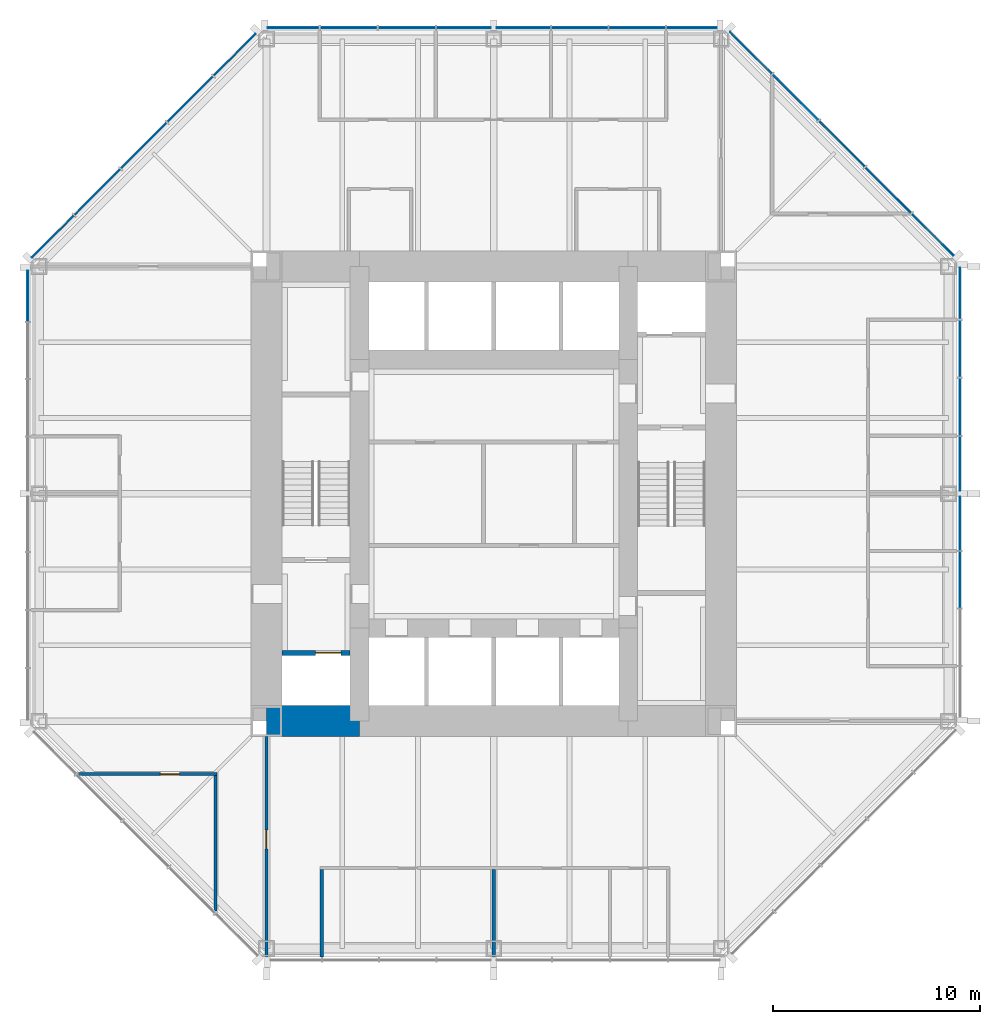
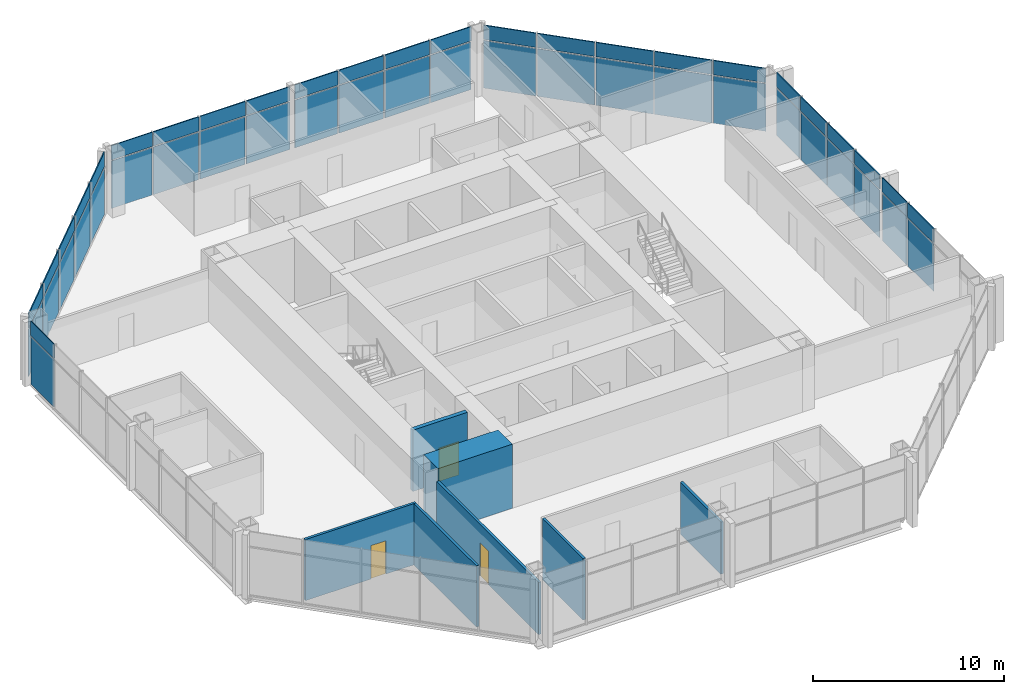
# One storey, part 8 of 12: 50 plates, 7 walls, 3 doors, 3 openings, 5 elements without a shape of their own.
"""IFC4 building model written with IfcOpenShell, lengths in metres."""

import ifcopenshell
import ifcopenshell.guid

model = None  # the IFC model being written
_history = None  # IfcOwnerHistory: only IFC2X3 demands one
_inside = {}  # id of a spatial element -> (the spatial element, [elements in it])
_under = {}  # id of a project, library or spatial element -> (it, [spatial elements below it])
_declared = {}  # id of a project -> (the project, [libraries it declares])
_typed = {}  # id of a type object -> (the type object, [elements of that type])
_made_of = {}  # id of a material, layer set ... -> (it, [elements and type objects made of it])


def new_model(schema):
    """Start an empty IFC model of exactly this schema.

    Asked for "IFC4X3", IfcOpenShell would pick the latest addendum, in which some entities
    have other attributes; the version numbers below select the first issue.
    IFC2X3 requires an IfcOwnerHistory on every rooted entity: one is made here for all.
    """
    global model, _history
    if schema == "IFC4X3":
        model = ifcopenshell.file(schema_version=(4, 3, 0, 0))
    else:
        model = ifcopenshell.file(schema=schema)
    _inside.clear()
    _under.clear()
    _declared.clear()
    _typed.clear()
    _made_of.clear()
    _history = None
    if model.schema == "IFC2X3":
        org = make("IfcOrganization", Name="unknown")
        user = make(
            "IfcPersonAndOrganization",
            ThePerson=make("IfcPerson", FamilyName="unknown"),
            TheOrganization=org,
        )
        app = make(
            "IfcApplication",
            ApplicationDeveloper=org,
            Version="unknown",
            ApplicationFullName="unknown",
            ApplicationIdentifier="unknown",
        )
        _history = make(
            "IfcOwnerHistory",
            OwningUser=user,
            OwningApplication=app,
            ChangeAction="ADDED",
            CreationDate=0,
        )
    return model


def make(cls, **values):
    """One entity of the class cls with the attributes given. An attribute that is None is left unset."""
    return model.create_entity(
        cls, **{name: value for name, value in values.items() if value is not None}
    )


def rooted(cls, **values):
    """An entity with a GlobalId (a new one), such as an element, a storey or a relation."""
    return make(cls, GlobalId=ifcopenshell.guid.new(), OwnerHistory=_history, **values)


def si_unit(unit_type, name, prefix=None):
    """IfcSIUnit, for example si_unit("LENGTHUNIT", "METRE", prefix="MILLI")."""
    return make("IfcSIUnit", UnitType=unit_type, Prefix=prefix, Name=name)


def assignment(units):
    """IfcUnitAssignment: the units of a project."""
    return None if units is None else make("IfcUnitAssignment", Units=units)


def point(xyz):
    """IfcCartesianPoint."""
    return None if xyz is None else make("IfcCartesianPoint", Coordinates=xyz)


def direction(xyz):
    """IfcDirection."""
    return None if xyz is None else make("IfcDirection", DirectionRatios=xyz)


def frame(location, z_axis=None, x_axis=None):
    """IfcAxis2Placement3D, a coordinate frame: its origin and axes. An axis left out is left unset."""
    return make(
        "IfcAxis2Placement3D",
        Location=point(location),
        Axis=direction(z_axis),
        RefDirection=direction(x_axis),
    )


def frame_2d(location, x_axis=None):
    """IfcAxis2Placement2D, a coordinate frame in the plane: its origin and x axis."""
    return make(
        "IfcAxis2Placement2D", Location=point(location), RefDirection=direction(x_axis)
    )


def origin():
    """The frame at (0, 0, 0) with its axes left unset."""
    return frame((0.0, 0.0, 0.0))


def origin_2d():
    """The frame at (0, 0) in the plane with its x axis left unset."""
    return frame_2d((0.0, 0.0))


def place(relative_to, where):
    """IfcLocalPlacement: puts the frame where relative to a parent placement (None: the world)."""
    return make(
        "IfcLocalPlacement", PlacementRelTo=relative_to, RelativePlacement=where
    )


def context(
    kind, dimensions, precision=None, world=None, true_north=None, identifier=None
):
    """IfcGeometricRepresentationContext, for example the 3D "Model" context."""
    return make(
        "IfcGeometricRepresentationContext",
        ContextIdentifier=identifier,
        ContextType=kind,
        CoordinateSpaceDimension=dimensions,
        Precision=precision,
        WorldCoordinateSystem=world,
        TrueNorth=true_north,
    )


def subcontext(parent, identifier, kind, view, scale=None):
    """IfcGeometricRepresentationSubContext, for example "Body" below "Model"."""
    return make(
        "IfcGeometricRepresentationSubContext",
        ContextIdentifier=identifier,
        ContextType=kind,
        ParentContext=parent,
        TargetScale=scale,
        TargetView=view,
    )


def project(units=None, contexts=None):
    """IfcProject with its units and contexts."""
    return rooted(
        "IfcProject",
        Name="project",
        RepresentationContexts=contexts,
        UnitsInContext=assignment(units),
    )


def spatial(cls, under=None, at=None, **own):
    """A site, building, storey or space (cls), placed at a placement, below another one or the project."""
    s = rooted(cls, ObjectPlacement=at, **own)
    if under is not None:
        _under.setdefault(under.id(), (under, []))[1].append(s)
    return s


def profile(cls, at=None, kind="AREA", **sizes):
    """A parametric profile (cls). Its sizes go by their IFC names, for example OverallWidth=200.0."""
    return make(cls, ProfileType=kind, Position=at, **sizes)


def rectangle(**sizes):
    """IfcRectangleProfileDef."""
    return profile("IfcRectangleProfileDef", **sizes)


def extrude(swept, where, along, depth):
    """IfcExtrudedAreaSolid: the profile swept, set in the frame where, extruded along a direction by depth."""
    return make(
        "IfcExtrudedAreaSolid",
        SweptArea=swept,
        Position=where,
        ExtrudedDirection=direction(along),
        Depth=depth,
    )


def shape(context_of_items, identifier, shape_type, items):
    """IfcShapeRepresentation: the items that make up one representation, for example the "Body"."""
    return make(
        "IfcShapeRepresentation",
        ContextOfItems=context_of_items,
        RepresentationIdentifier=identifier,
        RepresentationType=shape_type,
        Items=items,
    )


def material(Name=None, Category=None):
    """IfcMaterial."""
    return make("IfcMaterial", Name=Name, Category=Category)


def layer(
    of_material, thickness, ventilated=None, Name=None, Category=None, Priority=None
):
    """IfcMaterialLayer: one layer of a wall or slab, of a material (None: an air gap)."""
    return make(
        "IfcMaterialLayer",
        Material=of_material,
        LayerThickness=thickness,
        IsVentilated=ventilated,
        Name=Name,
        Category=Category,
        Priority=Priority,
    )


def layer_set(layers, Name=None):
    """IfcMaterialLayerSet."""
    return make("IfcMaterialLayerSet", MaterialLayers=layers, LayerSetName=Name)


def made_of(thing, what):
    """Note that an element or type object is made of a material, layer set ...; save() writes the relation."""
    if what is not None:
        _made_of.setdefault(what.id(), (what, []))[1].append(thing)
    return thing


def type_object(cls, material=None, **own):
    """A type object (cls), such as IfcWallType, which elements share."""
    return made_of(rooted(cls, **own), material)


def element(
    cls,
    number,
    at=None,
    inside=None,
    cuts=None,
    type_object=None,
    material=None,
    context=None,
    identifier="Body",
    shape_type=None,
    held_by="IfcProductDefinitionShape",
    body=None,
    shapes=None,
    **own,
):
    """One element of the class cls, such as IfcWall. Its Tag is "e" and its number.

    at: its placement. inside: the storey or other place that contains it. cuts: it is an
    opening in that element (IfcRelVoidsElement). A single representation is given by context,
    identifier, shape_type and body (its items); several are given by shapes. held_by: the class
    of the entity that holds the representations. save() writes the other relations.
    """
    e = rooted(cls, Tag="e%d" % number, ObjectPlacement=at, **own)
    if body is not None:
        shapes = [shape(context, identifier, shape_type, body)]
    if shapes is not None:
        e.Representation = make(held_by, Representations=shapes)
    if inside is not None:
        _inside.setdefault(inside.id(), (inside, []))[1].append(e)
    if cuts is not None:
        rooted(
            "IfcRelVoidsElement", RelatingBuildingElement=cuts, RelatedOpeningElement=e
        )
    if type_object is not None:
        _typed.setdefault(type_object.id(), (type_object, []))[1].append(e)
    return made_of(e, material)


def fill(opening, filler):
    """IfcRelFillsElement: the door or window that sits in an opening."""
    return rooted(
        "IfcRelFillsElement",
        RelatingOpeningElement=opening,
        RelatedBuildingElement=filler,
    )


def aggregate(whole, parts):
    """IfcRelAggregates: a whole, such as a stair, and the parts it consists of."""
    return rooted("IfcRelAggregates", RelatingObject=whole, RelatedObjects=parts)


def save(model, path):
    """Write the relations noted so far, then the file.

    IfcRelAggregates (storeys below a building ...), IfcRelContainedInSpatialStructure (elements
    in a storey), IfcRelDefinesByType, IfcRelAssociatesMaterial and IfcRelDeclares: one each for
    every whole, place, type object, material and project.
    """
    for whole, parts in _under.values():
        aggregate(whole, parts)
    for where, things in _inside.values():
        rooted(
            "IfcRelContainedInSpatialStructure",
            RelatedElements=things,
            RelatingStructure=where,
        )
    for kind, things in _typed.values():
        rooted("IfcRelDefinesByType", RelatedObjects=things, RelatingType=kind)
    for what, things in _made_of.values():
        rooted("IfcRelAssociatesMaterial", RelatedObjects=things, RelatingMaterial=what)
    for by, libraries in _declared.values():
        rooted("IfcRelDeclares", RelatingContext=by, RelatedDefinitions=libraries)
    model.write(path)


model = new_model("IFC4")

# Units and contexts
model_context = context("Model", 3, precision=1e-05, world=origin(), true_north=direction((0.0, 1.0)))
body_context = subcontext(model_context, "Body", "Model", "MODEL_VIEW")
ifc_project = project(units=[si_unit("LENGTHUNIT", "METRE"), si_unit("AREAUNIT", "SQUARE_METRE"), si_unit("VOLUMEUNIT", "CUBIC_METRE"), si_unit("PLANEANGLEUNIT", "RADIAN"), si_unit("MASSUNIT", "GRAM", prefix="KILO")], contexts=[model_context])

# Site, building, storey
site_placement = place(None, origin())
site = spatial("IfcSite", under=ifc_project, at=site_placement, CompositionType="ELEMENT")
building_placement = place(site_placement, origin())
building = spatial("IfcBuilding", under=site, at=building_placement, Name="Trevanion Tower", CompositionType="ELEMENT")
storey_placement = place(building_placement, frame((0.0, 0.0, 150.0)))
storey = spatial("IfcBuildingStorey", under=building, at=storey_placement, Name="L35", CompositionType="ELEMENT", Elevation=150.0)

# Curtain wall, plates
ifc_material_1 = material(Name="Aluminium and glass", Category="aluminium")
curtain_wall_type = type_object("IfcCurtainWallType", Name="CW2 curtain wall", PredefinedType="USERDEFINED", material=ifc_material_1)
curtain_wall_1_placement = place(storey_placement, origin())
curtain_wall_1 = element("IfcCurtainWall", 1, at=curtain_wall_1_placement, inside=storey, type_object=curtain_wall_type, Name="CW2 L35 0", ObjectType="UNITISED CURTAIN WALL", PredefinedType="USERDEFINED")
ifc_material_2 = material(Name="Aluminium spandrel panel", Category="aluminium")
ifc_layer_1 = layer(ifc_material_2, 0.06005859375)
ifc_layer_set_1 = layer_set([ifc_layer_1], Name="CW2 spandrel panel")
plate_type_1 = type_object("IfcPlateType", Name="CW2 spandrel panel", PredefinedType="CURTAIN_PANEL", material=ifc_layer_set_1)
plate_1_placement = place(storey_placement, frame((22.550048828125, -4.16162109375, 2.99755859375), z_axis=(0.0, 0.0, 1.0), x_axis=(0.0, 1.0, 0.0)))
plate_1 = element("IfcPlate", 2, at=plate_1_placement, type_object=plate_type_1, Name="CW2 panel 3.2", PredefinedType="CURTAIN_PANEL", context=body_context, shape_type="SweptSolid", body=[
    extrude(rectangle(XDim=2.699462890625, YDim=0.06005859375, at=origin_2d()), origin(), (0.0, 0.0, 1.0), 0.91259765625),
])
plate_2_placement = place(storey_placement, frame((22.550048828125, -1.443603515625, 2.99755859375), z_axis=(0.0, 0.0, 1.0), x_axis=(0.0, 1.0, 0.0)))
plate_2 = element("IfcPlate", 3, at=plate_2_placement, type_object=plate_type_1, Name="CW2 panel 4.2", PredefinedType="CURTAIN_PANEL", context=body_context, shape_type="SweptSolid", body=[
    extrude(rectangle(XDim=2.5869140625, YDim=0.06005859375, at=origin_2d()), origin(), (0.0, 0.0, 1.0), 0.91259765625),
])
plate_3_placement = place(storey_placement, frame((22.550048828125, 1.459716796875, 2.99755859375), z_axis=(0.0, 0.0, 1.0), x_axis=(0.0, 1.0, 0.0)))
plate_3 = element("IfcPlate", 4, at=plate_3_placement, type_object=plate_type_1, Name="CW2 panel 5.2", PredefinedType="CURTAIN_PANEL", context=body_context, shape_type="SweptSolid", body=[
    extrude(rectangle(XDim=2.619384765625, YDim=0.06005859375, at=origin_2d()), origin(), (0.0, 0.0, 1.0), 0.91259765625),
])
plate_4_placement = place(storey_placement, frame((22.550048828125, 4.21044921875, 2.99755859375), z_axis=(0.0, 0.0, 1.0), x_axis=(0.0, 1.0, 0.0)))
plate_4 = element("IfcPlate", 5, at=plate_4_placement, type_object=plate_type_1, Name="CW2 panel 6.2", PredefinedType="CURTAIN_PANEL", context=body_context, shape_type="SweptSolid", body=[
    extrude(rectangle(XDim=2.73193359375, YDim=0.06005859375, at=origin_2d()), origin(), (0.0, 0.0, 1.0), 0.91259765625),
])
plate_5_placement = place(storey_placement, frame((22.550048828125, 7.017333984375, 2.99755859375), z_axis=(0.0, 0.0, 1.0), x_axis=(0.0, 1.0, 0.0)))
plate_5 = element("IfcPlate", 6, at=plate_5_placement, type_object=plate_type_1, Name="CW2 panel 7.2", PredefinedType="CURTAIN_PANEL", context=body_context, shape_type="SweptSolid", body=[
    extrude(rectangle(XDim=2.73193359375, YDim=0.06005859375, at=origin_2d()), origin(), (0.0, 0.0, 1.0), 0.91259765625),
])
plate_6_placement = place(storey_placement, frame((22.550048828125, 9.693115234375, 2.99755859375), z_axis=(0.0, 0.0, 1.0), x_axis=(0.0, 1.0, 0.0)))
plate_6 = element("IfcPlate", 7, at=plate_6_placement, type_object=plate_type_1, Name="CW2 panel 8.2", PredefinedType="CURTAIN_PANEL", context=body_context, shape_type="SweptSolid", body=[
    extrude(rectangle(XDim=2.469482421875, YDim=0.06005859375, at=origin_2d()), origin(), (0.0, 0.0, 1.0), 0.91259765625),
])

curtain_wall_2_placement = place(storey_placement, origin())
curtain_wall_2 = element("IfcCurtainWall", 8, at=curtain_wall_2_placement, inside=storey, type_object=curtain_wall_type, Name="CW2 L35 1", ObjectType="UNITISED CURTAIN WALL", PredefinedType="USERDEFINED")
plate_7_placement = place(storey_placement, frame((21.2421875, 12.53564453125, 2.99755859375), z_axis=(0.0, 0.0, 1.0), x_axis=(-0.707106781187, 0.707106781187, 0.0)))
plate_7 = element("IfcPlate", 9, at=plate_7_placement, type_object=plate_type_1, Name="CW2 panel 1.2", PredefinedType="CURTAIN_PANEL", context=body_context, shape_type="SweptSolid", body=[
    extrude(rectangle(XDim=2.8388671875, YDim=0.06005859375, at=origin_2d()), origin(), (0.0, 0.0, 1.0), 0.91259765625),
])
plate_8_placement = place(storey_placement, frame((19.089111328125, 14.688720703125, 2.99755859375), z_axis=(0.0, 0.0, 1.0), x_axis=(-0.707106781187, 0.707106781187, 0.0)))
plate_8 = element("IfcPlate", 10, at=plate_8_placement, type_object=plate_type_1, Name="CW2 panel 2.2", PredefinedType="CURTAIN_PANEL", context=body_context, shape_type="SweptSolid", body=[
    extrude(rectangle(XDim=3.101318359375, YDim=0.06005859375, at=origin_2d()), origin(), (0.0, 0.0, 1.0), 0.91259765625),
])
plate_9_placement = place(storey_placement, frame((16.843017578125, 16.934814453125, 2.99755859375), z_axis=(0.0, 0.0, 1.0), x_axis=(-0.707106781187, 0.707106781187, 0.0)))
plate_9 = element("IfcPlate", 11, at=plate_9_placement, type_object=plate_type_1, Name="CW2 panel 3.2", PredefinedType="CURTAIN_PANEL", context=body_context, shape_type="SweptSolid", body=[
    extrude(rectangle(XDim=3.101318359375, YDim=0.06005859375, at=origin_2d()), origin(), (0.0, 0.0, 1.0), 0.91259765625),
])
plate_10_placement = place(storey_placement, frame((14.596923828125, 19.180908203125, 2.99755859375), z_axis=(0.0, 0.0, 1.0), x_axis=(-0.707106781187, 0.707106781187, 0.0)))
plate_10 = element("IfcPlate", 12, at=plate_10_placement, type_object=plate_type_1, Name="CW2 panel 4.2", PredefinedType="CURTAIN_PANEL", context=body_context, shape_type="SweptSolid", body=[
    extrude(rectangle(XDim=3.101318359375, YDim=0.06005859375, at=origin_2d()), origin(), (0.0, 0.0, 1.0), 0.91259765625),
])
plate_11_placement = place(storey_placement, frame((12.443603515625, 21.334228515625, 2.99755859375), z_axis=(0.0, 0.0, 1.0), x_axis=(-0.707106781187, 0.707106781187, 0.0)))
plate_11 = element("IfcPlate", 13, at=plate_11_placement, type_object=plate_type_1, Name="CW2 panel 5.2", PredefinedType="CURTAIN_PANEL", context=body_context, shape_type="SweptSolid", body=[
    extrude(rectangle(XDim=2.8388671875, YDim=0.06005859375, at=origin_2d()), origin(), (0.0, 0.0, 1.0), 0.91259765625),
])

curtain_wall_3_placement = place(storey_placement, origin())
curtain_wall_3 = element("IfcCurtainWall", 14, at=curtain_wall_3_placement, inside=storey, type_object=curtain_wall_type, Name="CW2 L35 2", ObjectType="UNITISED CURTAIN WALL", PredefinedType="USERDEFINED")
plate_12_placement = place(storey_placement, frame((9.579345703125, 22.550048828125, 2.99755859375), z_axis=(0.0, 0.0, 1.0), x_axis=(-1.0, 0.0, 0.0)))
plate_12 = element("IfcPlate", 15, at=plate_12_placement, type_object=plate_type_1, Name="CW2 panel 1.2", PredefinedType="CURTAIN_PANEL", context=body_context, shape_type="SweptSolid", body=[
    extrude(rectangle(XDim=2.43701171875, YDim=0.06005859375, at=origin_2d()), origin(), (0.0, 0.0, 1.0), 0.91259765625),
])
plate_13_placement = place(storey_placement, frame((6.93603515625, 22.550048828125, 2.99755859375), z_axis=(0.0, 0.0, 1.0), x_axis=(-1.0, 0.0, 0.0)))
plate_13 = element("IfcPlate", 16, at=plate_13_placement, type_object=plate_type_1, Name="CW2 panel 2.2", PredefinedType="CURTAIN_PANEL", context=body_context, shape_type="SweptSolid", body=[
    extrude(rectangle(XDim=2.699462890625, YDim=0.06005859375, at=origin_2d()), origin(), (0.0, 0.0, 1.0), 0.91259765625),
])
plate_14_placement = place(storey_placement, frame((4.16162109375, 22.550048828125, 2.99755859375), z_axis=(0.0, 0.0, 1.0), x_axis=(-1.0, 0.0, 0.0)))
plate_14 = element("IfcPlate", 17, at=plate_14_placement, type_object=plate_type_1, Name="CW2 panel 3.2", PredefinedType="CURTAIN_PANEL", context=body_context, shape_type="SweptSolid", body=[
    extrude(rectangle(XDim=2.699462890625, YDim=0.06005859375, at=origin_2d()), origin(), (0.0, 0.0, 1.0), 0.91259765625),
])
plate_15_placement = place(storey_placement, frame((1.443603515625, 22.550048828125, 2.99755859375), z_axis=(0.0, 0.0, 1.0), x_axis=(-1.0, 0.0, 0.0)))
plate_15 = element("IfcPlate", 18, at=plate_15_placement, type_object=plate_type_1, Name="CW2 panel 4.2", PredefinedType="CURTAIN_PANEL", context=body_context, shape_type="SweptSolid", body=[
    extrude(rectangle(XDim=2.5869140625, YDim=0.06005859375, at=origin_2d()), origin(), (0.0, 0.0, 1.0), 0.91259765625),
])
plate_16_placement = place(storey_placement, frame((-1.459716796875, 22.550048828125, 2.99755859375), z_axis=(0.0, 0.0, 1.0), x_axis=(-1.0, 0.0, 0.0)))
plate_16 = element("IfcPlate", 19, at=plate_16_placement, type_object=plate_type_1, Name="CW2 panel 5.2", PredefinedType="CURTAIN_PANEL", context=body_context, shape_type="SweptSolid", body=[
    extrude(rectangle(XDim=2.619384765625, YDim=0.06005859375, at=origin_2d()), origin(), (0.0, 0.0, 1.0), 0.91259765625),
])
plate_17_placement = place(storey_placement, frame((-4.21044921875, 22.550048828125, 2.99755859375), z_axis=(0.0, 0.0, 1.0), x_axis=(-1.0, 0.0, 0.0)))
plate_17 = element("IfcPlate", 20, at=plate_17_placement, type_object=plate_type_1, Name="CW2 panel 6.2", PredefinedType="CURTAIN_PANEL", context=body_context, shape_type="SweptSolid", body=[
    extrude(rectangle(XDim=2.73193359375, YDim=0.06005859375, at=origin_2d()), origin(), (0.0, 0.0, 1.0), 0.91259765625),
])
plate_18_placement = place(storey_placement, frame((-7.017333984375, 22.550048828125, 2.99755859375), z_axis=(0.0, 0.0, 1.0), x_axis=(-1.0, 0.0, 0.0)))
plate_18 = element("IfcPlate", 21, at=plate_18_placement, type_object=plate_type_1, Name="CW2 panel 7.2", PredefinedType="CURTAIN_PANEL", context=body_context, shape_type="SweptSolid", body=[
    extrude(rectangle(XDim=2.73193359375, YDim=0.06005859375, at=origin_2d()), origin(), (0.0, 0.0, 1.0), 0.91259765625),
])
plate_19_placement = place(storey_placement, frame((-9.693115234375, 22.550048828125, 2.99755859375), z_axis=(0.0, 0.0, 1.0), x_axis=(-1.0, 0.0, 0.0)))
plate_19 = element("IfcPlate", 22, at=plate_19_placement, type_object=plate_type_1, Name="CW2 panel 8.2", PredefinedType="CURTAIN_PANEL", context=body_context, shape_type="SweptSolid", body=[
    extrude(rectangle(XDim=2.469482421875, YDim=0.06005859375, at=origin_2d()), origin(), (0.0, 0.0, 1.0), 0.91259765625),
])

curtain_wall_4_placement = place(storey_placement, origin())
curtain_wall_4 = element("IfcCurtainWall", 23, at=curtain_wall_4_placement, inside=storey, type_object=curtain_wall_type, Name="CW2 L35 3", ObjectType="UNITISED CURTAIN WALL", PredefinedType="USERDEFINED")
plate_20_placement = place(storey_placement, frame((-12.53564453125, 21.2421875, 2.99755859375), z_axis=(0.0, 0.0, 1.0), x_axis=(-0.707106781187, -0.707106781187, 0.0)))
plate_20 = element("IfcPlate", 24, at=plate_20_placement, type_object=plate_type_1, Name="CW2 panel 1.2", PredefinedType="CURTAIN_PANEL", context=body_context, shape_type="SweptSolid", body=[
    extrude(rectangle(XDim=2.8388671875, YDim=0.06005859375, at=origin_2d()), origin(), (0.0, 0.0, 1.0), 0.91259765625),
])
plate_21_placement = place(storey_placement, frame((-14.688720703125, 19.089111328125, 2.99755859375), z_axis=(0.0, 0.0, 1.0), x_axis=(-0.707106781187, -0.707106781187, 0.0)))
plate_21 = element("IfcPlate", 25, at=plate_21_placement, type_object=plate_type_1, Name="CW2 panel 2.2", PredefinedType="CURTAIN_PANEL", context=body_context, shape_type="SweptSolid", body=[
    extrude(rectangle(XDim=3.101318359375, YDim=0.06005859375, at=origin_2d()), origin(), (0.0, 0.0, 1.0), 0.91259765625),
])
plate_22_placement = place(storey_placement, frame((-16.934814453125, 16.843017578125, 2.99755859375), z_axis=(0.0, 0.0, 1.0), x_axis=(-0.707106781187, -0.707106781187, 0.0)))
plate_22 = element("IfcPlate", 26, at=plate_22_placement, type_object=plate_type_1, Name="CW2 panel 3.2", PredefinedType="CURTAIN_PANEL", context=body_context, shape_type="SweptSolid", body=[
    extrude(rectangle(XDim=3.101318359375, YDim=0.06005859375, at=origin_2d()), origin(), (0.0, 0.0, 1.0), 0.91259765625),
])
plate_23_placement = place(storey_placement, frame((-19.180908203125, 14.596923828125, 2.99755859375), z_axis=(0.0, 0.0, 1.0), x_axis=(-0.707106781187, -0.707106781187, 0.0)))
plate_23 = element("IfcPlate", 27, at=plate_23_placement, type_object=plate_type_1, Name="CW2 panel 4.2", PredefinedType="CURTAIN_PANEL", context=body_context, shape_type="SweptSolid", body=[
    extrude(rectangle(XDim=3.101318359375, YDim=0.06005859375, at=origin_2d()), origin(), (0.0, 0.0, 1.0), 0.91259765625),
])
plate_24_placement = place(storey_placement, frame((-21.334228515625, 12.443603515625, 2.99755859375), z_axis=(0.0, 0.0, 1.0), x_axis=(-0.707106781187, -0.707106781187, 0.0)))
plate_24 = element("IfcPlate", 28, at=plate_24_placement, type_object=plate_type_1, Name="CW2 panel 5.2", PredefinedType="CURTAIN_PANEL", context=body_context, shape_type="SweptSolid", body=[
    extrude(rectangle(XDim=2.8388671875, YDim=0.06005859375, at=origin_2d()), origin(), (0.0, 0.0, 1.0), 0.91259765625),
])

# Curtain wall, plate
curtain_wall_5_placement = place(storey_placement, origin())
curtain_wall_5 = element("IfcCurtainWall", 29, at=curtain_wall_5_placement, inside=storey, type_object=curtain_wall_type, Name="CW2 L35 4", ObjectType="UNITISED CURTAIN WALL", PredefinedType="USERDEFINED")
plate_25_placement = place(storey_placement, frame((-22.550048828125, 9.579345703125, 2.99755859375), z_axis=(0.0, 0.0, 1.0), x_axis=(0.0, -1.0, 0.0)))
plate_25 = element("IfcPlate", 30, at=plate_25_placement, type_object=plate_type_1, Name="CW2 panel 1.2", PredefinedType="CURTAIN_PANEL", context=body_context, shape_type="SweptSolid", body=[
    extrude(rectangle(XDim=2.43701171875, YDim=0.06005859375, at=origin_2d()), origin(), (0.0, 0.0, 1.0), 0.91259765625),
])

# Plate
ifc_material_3 = material(Name="Insulating glass unit", Category="glass")
ifc_layer_2 = layer(ifc_material_3, 0.028076171875)
ifc_layer_set_2 = layer_set([ifc_layer_2], Name="CW2 vision panel")
plate_type_2 = type_object("IfcPlateType", Name="CW2 vision panel", PredefinedType="CURTAIN_PANEL", material=ifc_layer_set_2)
plate_26_placement = place(storey_placement, frame((22.550048828125, -4.16162109375, -0.114990234375), z_axis=(0.0, 0.0, 1.0), x_axis=(0.0, 1.0, 0.0)))
plate_26 = element("IfcPlate", 31, at=plate_26_placement, type_object=plate_type_2, Name="CW2 panel 3.1", PredefinedType="CURTAIN_PANEL", context=body_context, shape_type="SweptSolid", body=[
    extrude(rectangle(XDim=2.699462890625, YDim=0.028076171875, at=origin_2d()), origin(), (0.0, 0.0, 1.0), 3.03759765625),
])

plate_27_placement = place(storey_placement, frame((22.550048828125, -1.443603515625, -0.114990234375), z_axis=(0.0, 0.0, 1.0), x_axis=(0.0, 1.0, 0.0)))
plate_27 = element("IfcPlate", 32, at=plate_27_placement, type_object=plate_type_2, Name="CW2 panel 4.1", PredefinedType="CURTAIN_PANEL", context=body_context, shape_type="SweptSolid", body=[
    extrude(rectangle(XDim=2.5869140625, YDim=0.028076171875, at=origin_2d()), origin(), (0.0, 0.0, 1.0), 3.03759765625),
])

plate_28_placement = place(storey_placement, frame((22.550048828125, 1.459716796875, -0.114990234375), z_axis=(0.0, 0.0, 1.0), x_axis=(0.0, 1.0, 0.0)))
plate_28 = element("IfcPlate", 33, at=plate_28_placement, type_object=plate_type_2, Name="CW2 panel 5.1", PredefinedType="CURTAIN_PANEL", context=body_context, shape_type="SweptSolid", body=[
    extrude(rectangle(XDim=2.619384765625, YDim=0.028076171875, at=origin_2d()), origin(), (0.0, 0.0, 1.0), 3.03759765625),
])

plate_29_placement = place(storey_placement, frame((22.550048828125, 4.21044921875, -0.114990234375), z_axis=(0.0, 0.0, 1.0), x_axis=(0.0, 1.0, 0.0)))
plate_29 = element("IfcPlate", 34, at=plate_29_placement, type_object=plate_type_2, Name="CW2 panel 6.1", PredefinedType="CURTAIN_PANEL", context=body_context, shape_type="SweptSolid", body=[
    extrude(rectangle(XDim=2.73193359375, YDim=0.028076171875, at=origin_2d()), origin(), (0.0, 0.0, 1.0), 3.03759765625),
])

plate_30_placement = place(storey_placement, frame((22.550048828125, 7.017333984375, -0.114990234375), z_axis=(0.0, 0.0, 1.0), x_axis=(0.0, 1.0, 0.0)))
plate_30 = element("IfcPlate", 35, at=plate_30_placement, type_object=plate_type_2, Name="CW2 panel 7.1", PredefinedType="CURTAIN_PANEL", context=body_context, shape_type="SweptSolid", body=[
    extrude(rectangle(XDim=2.73193359375, YDim=0.028076171875, at=origin_2d()), origin(), (0.0, 0.0, 1.0), 3.03759765625),
])

plate_31_placement = place(storey_placement, frame((22.550048828125, 9.693115234375, -0.114990234375), z_axis=(0.0, 0.0, 1.0), x_axis=(0.0, 1.0, 0.0)))
plate_31 = element("IfcPlate", 36, at=plate_31_placement, type_object=plate_type_2, Name="CW2 panel 8.1", PredefinedType="CURTAIN_PANEL", context=body_context, shape_type="SweptSolid", body=[
    extrude(rectangle(XDim=2.469482421875, YDim=0.028076171875, at=origin_2d()), origin(), (0.0, 0.0, 1.0), 3.03759765625),
])

aggregate(curtain_wall_1, [plate_26, plate_1, plate_27, plate_2, plate_28, plate_3, plate_29, plate_4, plate_30, plate_5, plate_31, plate_6])

plate_32_placement = place(storey_placement, frame((21.2421875, 12.53564453125, -0.114990234375), z_axis=(0.0, 0.0, 1.0), x_axis=(-0.707106781187, 0.707106781187, 0.0)))
plate_32 = element("IfcPlate", 37, at=plate_32_placement, type_object=plate_type_2, Name="CW2 panel 1.1", PredefinedType="CURTAIN_PANEL", context=body_context, shape_type="SweptSolid", body=[
    extrude(rectangle(XDim=2.8388671875, YDim=0.028076171875, at=origin_2d()), origin(), (0.0, 0.0, 1.0), 3.03759765625),
])

plate_33_placement = place(storey_placement, frame((19.089111328125, 14.688720703125, -0.114990234375), z_axis=(0.0, 0.0, 1.0), x_axis=(-0.707106781187, 0.707106781187, 0.0)))
plate_33 = element("IfcPlate", 38, at=plate_33_placement, type_object=plate_type_2, Name="CW2 panel 2.1", PredefinedType="CURTAIN_PANEL", context=body_context, shape_type="SweptSolid", body=[
    extrude(rectangle(XDim=3.101318359375, YDim=0.028076171875, at=origin_2d()), origin(), (0.0, 0.0, 1.0), 3.03759765625),
])

plate_34_placement = place(storey_placement, frame((16.843017578125, 16.934814453125, -0.114990234375), z_axis=(0.0, 0.0, 1.0), x_axis=(-0.707106781187, 0.707106781187, 0.0)))
plate_34 = element("IfcPlate", 39, at=plate_34_placement, type_object=plate_type_2, Name="CW2 panel 3.1", PredefinedType="CURTAIN_PANEL", context=body_context, shape_type="SweptSolid", body=[
    extrude(rectangle(XDim=3.101318359375, YDim=0.028076171875, at=origin_2d()), origin(), (0.0, 0.0, 1.0), 3.03759765625),
])

plate_35_placement = place(storey_placement, frame((14.596923828125, 19.180908203125, -0.114990234375), z_axis=(0.0, 0.0, 1.0), x_axis=(-0.707106781187, 0.707106781187, 0.0)))
plate_35 = element("IfcPlate", 40, at=plate_35_placement, type_object=plate_type_2, Name="CW2 panel 4.1", PredefinedType="CURTAIN_PANEL", context=body_context, shape_type="SweptSolid", body=[
    extrude(rectangle(XDim=3.101318359375, YDim=0.028076171875, at=origin_2d()), origin(), (0.0, 0.0, 1.0), 3.03759765625),
])

plate_36_placement = place(storey_placement, frame((12.443603515625, 21.334228515625, -0.114990234375), z_axis=(0.0, 0.0, 1.0), x_axis=(-0.707106781187, 0.707106781187, 0.0)))
plate_36 = element("IfcPlate", 41, at=plate_36_placement, type_object=plate_type_2, Name="CW2 panel 5.1", PredefinedType="CURTAIN_PANEL", context=body_context, shape_type="SweptSolid", body=[
    extrude(rectangle(XDim=2.8388671875, YDim=0.028076171875, at=origin_2d()), origin(), (0.0, 0.0, 1.0), 3.03759765625),
])

aggregate(curtain_wall_2, [plate_32, plate_7, plate_33, plate_8, plate_34, plate_9, plate_35, plate_10, plate_36, plate_11])

plate_37_placement = place(storey_placement, frame((9.579345703125, 22.550048828125, -0.114990234375), z_axis=(0.0, 0.0, 1.0), x_axis=(-1.0, 0.0, 0.0)))
plate_37 = element("IfcPlate", 42, at=plate_37_placement, type_object=plate_type_2, Name="CW2 panel 1.1", PredefinedType="CURTAIN_PANEL", context=body_context, shape_type="SweptSolid", body=[
    extrude(rectangle(XDim=2.43701171875, YDim=0.028076171875, at=origin_2d()), origin(), (0.0, 0.0, 1.0), 3.03759765625),
])

plate_38_placement = place(storey_placement, frame((6.93603515625, 22.550048828125, -0.114990234375), z_axis=(0.0, 0.0, 1.0), x_axis=(-1.0, 0.0, 0.0)))
plate_38 = element("IfcPlate", 43, at=plate_38_placement, type_object=plate_type_2, Name="CW2 panel 2.1", PredefinedType="CURTAIN_PANEL", context=body_context, shape_type="SweptSolid", body=[
    extrude(rectangle(XDim=2.699462890625, YDim=0.028076171875, at=origin_2d()), origin(), (0.0, 0.0, 1.0), 3.03759765625),
])

plate_39_placement = place(storey_placement, frame((4.16162109375, 22.550048828125, -0.114990234375), z_axis=(0.0, 0.0, 1.0), x_axis=(-1.0, 0.0, 0.0)))
plate_39 = element("IfcPlate", 44, at=plate_39_placement, type_object=plate_type_2, Name="CW2 panel 3.1", PredefinedType="CURTAIN_PANEL", context=body_context, shape_type="SweptSolid", body=[
    extrude(rectangle(XDim=2.699462890625, YDim=0.028076171875, at=origin_2d()), origin(), (0.0, 0.0, 1.0), 3.03759765625),
])

plate_40_placement = place(storey_placement, frame((1.443603515625, 22.550048828125, -0.114990234375), z_axis=(0.0, 0.0, 1.0), x_axis=(-1.0, 0.0, 0.0)))
plate_40 = element("IfcPlate", 45, at=plate_40_placement, type_object=plate_type_2, Name="CW2 panel 4.1", PredefinedType="CURTAIN_PANEL", context=body_context, shape_type="SweptSolid", body=[
    extrude(rectangle(XDim=2.5869140625, YDim=0.028076171875, at=origin_2d()), origin(), (0.0, 0.0, 1.0), 3.03759765625),
])

plate_41_placement = place(storey_placement, frame((-1.459716796875, 22.550048828125, -0.114990234375), z_axis=(0.0, 0.0, 1.0), x_axis=(-1.0, 0.0, 0.0)))
plate_41 = element("IfcPlate", 46, at=plate_41_placement, type_object=plate_type_2, Name="CW2 panel 5.1", PredefinedType="CURTAIN_PANEL", context=body_context, shape_type="SweptSolid", body=[
    extrude(rectangle(XDim=2.619384765625, YDim=0.028076171875, at=origin_2d()), origin(), (0.0, 0.0, 1.0), 3.03759765625),
])

plate_42_placement = place(storey_placement, frame((-4.21044921875, 22.550048828125, -0.114990234375), z_axis=(0.0, 0.0, 1.0), x_axis=(-1.0, 0.0, 0.0)))
plate_42 = element("IfcPlate", 47, at=plate_42_placement, type_object=plate_type_2, Name="CW2 panel 6.1", PredefinedType="CURTAIN_PANEL", context=body_context, shape_type="SweptSolid", body=[
    extrude(rectangle(XDim=2.73193359375, YDim=0.028076171875, at=origin_2d()), origin(), (0.0, 0.0, 1.0), 3.03759765625),
])

plate_43_placement = place(storey_placement, frame((-7.017333984375, 22.550048828125, -0.114990234375), z_axis=(0.0, 0.0, 1.0), x_axis=(-1.0, 0.0, 0.0)))
plate_43 = element("IfcPlate", 48, at=plate_43_placement, type_object=plate_type_2, Name="CW2 panel 7.1", PredefinedType="CURTAIN_PANEL", context=body_context, shape_type="SweptSolid", body=[
    extrude(rectangle(XDim=2.73193359375, YDim=0.028076171875, at=origin_2d()), origin(), (0.0, 0.0, 1.0), 3.03759765625),
])

plate_44_placement = place(storey_placement, frame((-9.693115234375, 22.550048828125, -0.114990234375), z_axis=(0.0, 0.0, 1.0), x_axis=(-1.0, 0.0, 0.0)))
plate_44 = element("IfcPlate", 49, at=plate_44_placement, type_object=plate_type_2, Name="CW2 panel 8.1", PredefinedType="CURTAIN_PANEL", context=body_context, shape_type="SweptSolid", body=[
    extrude(rectangle(XDim=2.469482421875, YDim=0.028076171875, at=origin_2d()), origin(), (0.0, 0.0, 1.0), 3.03759765625),
])

aggregate(curtain_wall_3, [plate_37, plate_12, plate_38, plate_13, plate_39, plate_14, plate_40, plate_15, plate_41, plate_16, plate_42, plate_17, plate_43, plate_18, plate_44, plate_19])

plate_45_placement = place(storey_placement, frame((-12.53564453125, 21.2421875, -0.114990234375), z_axis=(0.0, 0.0, 1.0), x_axis=(-0.707106781187, -0.707106781187, 0.0)))
plate_45 = element("IfcPlate", 50, at=plate_45_placement, type_object=plate_type_2, Name="CW2 panel 1.1", PredefinedType="CURTAIN_PANEL", context=body_context, shape_type="SweptSolid", body=[
    extrude(rectangle(XDim=2.8388671875, YDim=0.028076171875, at=origin_2d()), origin(), (0.0, 0.0, 1.0), 3.03759765625),
])

plate_46_placement = place(storey_placement, frame((-14.688720703125, 19.089111328125, -0.114990234375), z_axis=(0.0, 0.0, 1.0), x_axis=(-0.707106781187, -0.707106781187, 0.0)))
plate_46 = element("IfcPlate", 51, at=plate_46_placement, type_object=plate_type_2, Name="CW2 panel 2.1", PredefinedType="CURTAIN_PANEL", context=body_context, shape_type="SweptSolid", body=[
    extrude(rectangle(XDim=3.101318359375, YDim=0.028076171875, at=origin_2d()), origin(), (0.0, 0.0, 1.0), 3.03759765625),
])

plate_47_placement = place(storey_placement, frame((-16.934814453125, 16.843017578125, -0.114990234375), z_axis=(0.0, 0.0, 1.0), x_axis=(-0.707106781187, -0.707106781187, 0.0)))
plate_47 = element("IfcPlate", 52, at=plate_47_placement, type_object=plate_type_2, Name="CW2 panel 3.1", PredefinedType="CURTAIN_PANEL", context=body_context, shape_type="SweptSolid", body=[
    extrude(rectangle(XDim=3.101318359375, YDim=0.028076171875, at=origin_2d()), origin(), (0.0, 0.0, 1.0), 3.03759765625),
])

plate_48_placement = place(storey_placement, frame((-19.180908203125, 14.596923828125, -0.114990234375), z_axis=(0.0, 0.0, 1.0), x_axis=(-0.707106781187, -0.707106781187, 0.0)))
plate_48 = element("IfcPlate", 53, at=plate_48_placement, type_object=plate_type_2, Name="CW2 panel 4.1", PredefinedType="CURTAIN_PANEL", context=body_context, shape_type="SweptSolid", body=[
    extrude(rectangle(XDim=3.101318359375, YDim=0.028076171875, at=origin_2d()), origin(), (0.0, 0.0, 1.0), 3.03759765625),
])

plate_49_placement = place(storey_placement, frame((-21.334228515625, 12.443603515625, -0.114990234375), z_axis=(0.0, 0.0, 1.0), x_axis=(-0.707106781187, -0.707106781187, 0.0)))
plate_49 = element("IfcPlate", 54, at=plate_49_placement, type_object=plate_type_2, Name="CW2 panel 5.1", PredefinedType="CURTAIN_PANEL", context=body_context, shape_type="SweptSolid", body=[
    extrude(rectangle(XDim=2.8388671875, YDim=0.028076171875, at=origin_2d()), origin(), (0.0, 0.0, 1.0), 3.03759765625),
])

aggregate(curtain_wall_4, [plate_45, plate_20, plate_46, plate_21, plate_47, plate_22, plate_48, plate_23, plate_49, plate_24])

plate_50_placement = place(storey_placement, frame((-22.550048828125, 9.579345703125, -0.114990234375), z_axis=(0.0, 0.0, 1.0), x_axis=(0.0, -1.0, 0.0)))
plate_50 = element("IfcPlate", 55, at=plate_50_placement, type_object=plate_type_2, Name="CW2 panel 1.1", PredefinedType="CURTAIN_PANEL", context=body_context, shape_type="SweptSolid", body=[
    extrude(rectangle(XDim=2.43701171875, YDim=0.028076171875, at=origin_2d()), origin(), (0.0, 0.0, 1.0), 3.03759765625),
])

aggregate(curtain_wall_5, [plate_50, plate_25])

# Wall
ifc_material_4 = material(Name="Concrete 10,000 psi", Category="concrete")
ifc_layer_3 = layer(ifc_material_4, 1.5)
ifc_layer_set_3 = layer_set([ifc_layer_3], Name="CW1 core wall 1500")
wall_type_1 = type_object("IfcWallType", Name="CW1 core wall 1500", PredefinedType="SHEAR", material=ifc_layer_set_3)
wall_1_placement = place(storey_placement, frame((-11.0, -11.0, 0.0), z_axis=(0.0, 0.0, 1.0), x_axis=(1.0, 0.0, 0.0)))
element("IfcWall", 56, at=wall_1_placement, inside=storey, type_object=wall_type_1, Name="CW1 CS1 L35", PredefinedType="SHEAR", context=body_context, shape_type="SweptSolid", body=[
    extrude(rectangle(XDim=4.5, YDim=1.5, at=frame_2d((2.25, 0.0))), origin(), (0.0, 0.0, 1.0), 4.10009765625),
])

# Wall, opening, door
ifc_material_5 = material(Name="Gypsum board on steel studs", Category="steel")
ifc_layer_4 = layer(ifc_material_5, 0.14990234375)
ifc_layer_set_4 = layer_set([ifc_layer_4], Name="PT1 partition 150")
wall_type_2 = type_object("IfcWallType", Name="PT1 partition 150", PredefinedType="PARTITIONING", material=ifc_layer_set_4)
wall_2_placement = place(storey_placement, frame((-11.0, -11.75, 0.0), z_axis=(0.0, 0.0, 1.0), x_axis=(0.0, -1.0, 0.0)))
wall_2 = element("IfcWall", 57, at=wall_2_placement, inside=storey, type_object=wall_type_2, Name="PT1 L35 ZW2", PredefinedType="PARTITIONING", context=body_context, shape_type="SweptSolid", body=[
    extrude(rectangle(XDim=10.6650390625, YDim=0.14990234375, at=frame_2d((5.33251953125, 0.0))), origin(), (0.0, 0.0, 1.0), 3.32568359375),
])
opening_1_placement = place(wall_2_placement, frame((4.517578125, 0.0, 0.0)))
opening_1 = element("IfcOpeningElement", 58, at=opening_1_placement, cuts=wall_2, Name="Opening 35-020", PredefinedType="OPENING", context=body_context, shape_type="SweptSolid", body=[
    extrude(rectangle(XDim=0.9150390625, YDim=2.134033203125, at=frame_2d((0.45751953125, 1.06689453125))), frame((0.0, 0.0849609375, 0.0), z_axis=(0.0, -1.0, 0.0), x_axis=(1.0, 0.0, 0.0)), (0.0, 0.0, 1.0), 0.169921875),
])
ifc_material_6 = material(Name="Timber veneer, solid core", Category="wood")
door_type_1 = type_object("IfcDoorType", Name="D1 office and meeting room door", OperationType="SINGLE_SWING_LEFT", PredefinedType="DOOR", material=ifc_material_6)
door_1_placement = place(opening_1_placement, origin())
door_1 = element("IfcDoor", 59, at=door_1_placement, inside=storey, type_object=door_type_1, Name="Door 35-020", OperationType="SINGLE_SWING_LEFT", OverallHeight=2.134033203125, OverallWidth=0.9150390625, PredefinedType="DOOR", context=body_context, shape_type="SweptSolid", body=[
    extrude(rectangle(XDim=0.9150390625, YDim=2.134033203125, at=frame_2d((0.45751953125, 1.06689453125))), frame((0.0, 0.02490234375, 0.0), z_axis=(0.0, -1.0, 0.0), x_axis=(1.0, 0.0, 0.0)), (0.0, 0.0, 1.0), 0.050048828125),
])
fill(opening_1, door_1)

wall_3_placement = place(storey_placement, frame((-13.39892578125, -13.56591796875, 0.0), z_axis=(0.0, 0.0, 1.0), x_axis=(-1.0, 0.0, 0.0)))
wall_3 = element("IfcWall", 60, at=wall_3_placement, inside=storey, type_object=wall_type_2, Name="PT1 L35 KW2a", PredefinedType="PARTITIONING", context=body_context, shape_type="SweptSolid", body=[
    extrude(rectangle(XDim=6.697998046875, YDim=0.14990234375, at=frame_2d((3.34912109375, 0.0))), origin(), (0.0, 0.0, 1.0), 3.909912109375),
])
opening_2_placement = place(wall_3_placement, frame((1.8173828125, 0.0, 0.0)))
opening_2 = element("IfcOpeningElement", 61, at=opening_2_placement, cuts=wall_3, Name="Opening 35-023", PredefinedType="OPENING", context=body_context, shape_type="SweptSolid", body=[
    extrude(rectangle(XDim=0.9150390625, YDim=2.134033203125, at=frame_2d((0.45751953125, 1.06689453125))), frame((0.0, 0.0849609375, 0.0), z_axis=(0.0, -1.0, 0.0), x_axis=(1.0, 0.0, 0.0)), (0.0, 0.0, 1.0), 0.169921875),
])
door_2_placement = place(opening_2_placement, origin())
door_2 = element("IfcDoor", 62, at=door_2_placement, inside=storey, type_object=door_type_1, Name="Door 35-023", OperationType="SINGLE_SWING_LEFT", OverallHeight=2.134033203125, OverallWidth=0.9150390625, PredefinedType="DOOR", context=body_context, shape_type="SweptSolid", body=[
    extrude(rectangle(XDim=0.9150390625, YDim=2.134033203125, at=frame_2d((0.45751953125, 1.06689453125))), frame((0.0, 0.02490234375, 0.0), z_axis=(0.0, -1.0, 0.0), x_axis=(1.0, 0.0, 0.0)), (0.0, 0.0, 1.0), 0.050048828125),
])
fill(opening_2, door_2)

# Walls
wall_4_placement = place(storey_placement, frame((-13.47412109375, -13.64111328125, 0.0), z_axis=(0.0, 0.0, 1.0), x_axis=(0.0, -1.0, 0.0)))
element("IfcWall", 63, at=wall_4_placement, inside=storey, type_object=wall_type_2, Name="PT1 L35 KW2b", PredefinedType="PARTITIONING", context=body_context, shape_type="SweptSolid", body=[
    extrude(rectangle(XDim=6.5478515625, YDim=0.14990234375, at=frame_2d((3.27392578125, 0.0))), origin(), (0.0, 0.0, 1.0), 3.909912109375),
])
wall_5_placement = place(storey_placement, frame((-8.322998046875, -18.175048828125, 0.0), z_axis=(0.0, 0.0, 1.0), x_axis=(0.0, -1.0, 0.0)))
element("IfcWall", 64, at=wall_5_placement, inside=storey, type_object=wall_type_2, Name="PT1 L35 FC3S0", PredefinedType="PARTITIONING", context=body_context, shape_type="SweptSolid", body=[
    extrude(rectangle(XDim=4.239990234375, YDim=0.14990234375, at=frame_2d((2.1201171875, 0.0))), origin(), (0.0, 0.0, 1.0), 3.909912109375),
])
wall_6_placement = place(storey_placement, frame((0.0, -18.175048828125, 0.0), z_axis=(0.0, 0.0, 1.0), x_axis=(0.0, -1.0, 0.0)))
element("IfcWall", 65, at=wall_6_placement, inside=storey, type_object=wall_type_2, Name="PT1 L35 FC3S3", PredefinedType="PARTITIONING", context=body_context, shape_type="SweptSolid", body=[
    extrude(rectangle(XDim=4.239990234375, YDim=0.14990234375, at=frame_2d((2.1201171875, 0.0))), origin(), (0.0, 0.0, 1.0), 3.32568359375),
])

# Wall, opening, door
ifc_material_7 = material(Name="Concrete masonry, grouted, two-hour", Category="masonry")
ifc_layer_5 = layer(ifc_material_7, 0.25)
ifc_layer_set_5 = layer_set([ifc_layer_5], Name="PT3 partition 250 2 HR")
wall_type_3 = type_object("IfcWallType", Name="PT3 partition 250 2 HR", PredefinedType="PARTITIONING", material=ifc_layer_set_5)
wall_7_placement = place(storey_placement, frame((-6.949951171875, -7.699951171875, 0.0), z_axis=(0.0, 0.0, 1.0), x_axis=(-1.0, 0.0, 0.0)))
wall_7 = element("IfcWall", 66, at=wall_7_placement, inside=storey, type_object=wall_type_3, Name="PT3 L35 WP3", PredefinedType="PARTITIONING", context=body_context, shape_type="SweptSolid", body=[
    extrude(rectangle(XDim=3.300048828125, YDim=0.25, at=frame_2d((1.64990234375, 0.0))), origin(), (0.0, 0.0, 1.0), 3.909912109375),
])
opening_3_placement = place(wall_7_placement, frame((0.449951171875, 0.0, 0.0)))
opening_3 = element("IfcOpeningElement", 67, at=opening_3_placement, cuts=wall_7, Name="Opening 35-008", PredefinedType="OPENING", context=body_context, shape_type="SweptSolid", body=[
    extrude(rectangle(XDim=1.218994140625, YDim=2.134033203125, at=frame_2d((0.609375, 1.06689453125))), frame((0.0, 0.135009765625, 0.0), z_axis=(0.0, -1.0, 0.0), x_axis=(1.0, 0.0, 0.0)), (0.0, 0.0, 1.0), 0.27001953125),
])
ifc_material_8 = material(Name="Stainless steel, fire rated", Category="steel")
door_type_2 = type_object("IfcDoorType", Name="LD2 fire service lift landing door", OperationType="SLIDING_TO_LEFT", PredefinedType="DOOR", material=ifc_material_8)
door_3_placement = place(opening_3_placement, origin())
door_3 = element("IfcDoor", 68, at=door_3_placement, inside=storey, type_object=door_type_2, Name="Door 35-008", OperationType="SLIDING_TO_LEFT", OverallHeight=2.134033203125, OverallWidth=1.218994140625, PredefinedType="DOOR", context=body_context, shape_type="SweptSolid", body=[
    extrude(rectangle(XDim=1.218994140625, YDim=2.134033203125, at=frame_2d((0.609375, 1.06689453125))), frame((0.0, 0.02490234375, 0.0), z_axis=(0.0, -1.0, 0.0), x_axis=(1.0, 0.0, 0.0)), (0.0, 0.0, 1.0), 0.050048828125),
])
fill(opening_3, door_3)

save(model, "model.ifc")
